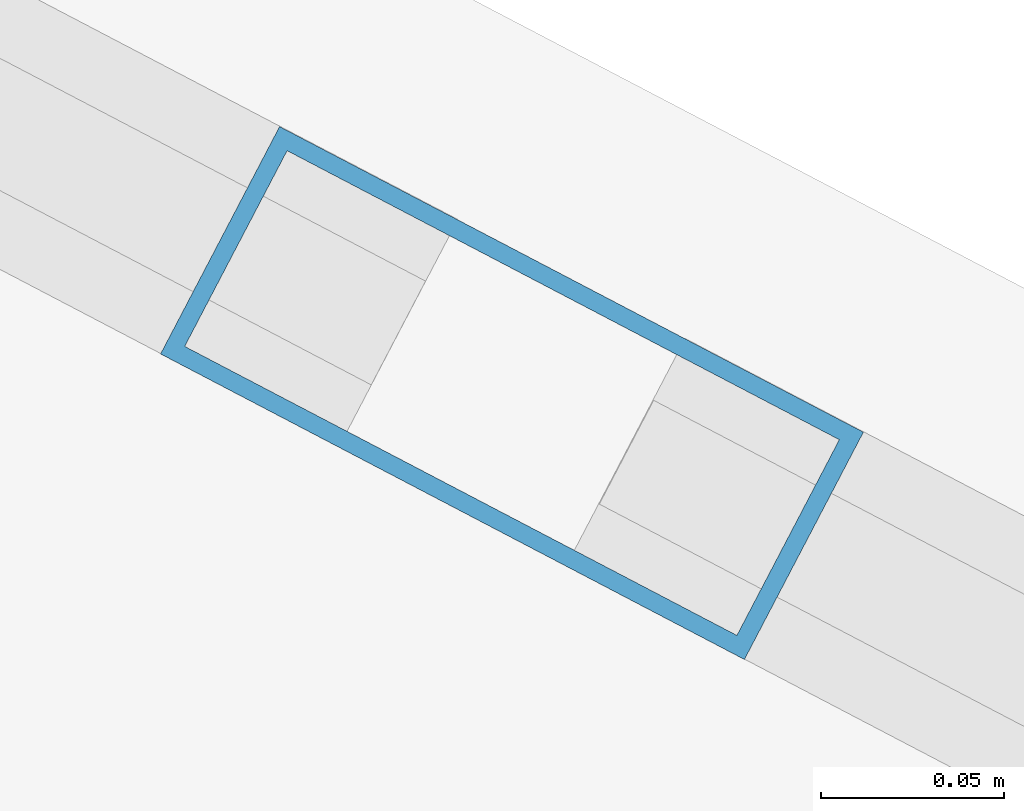
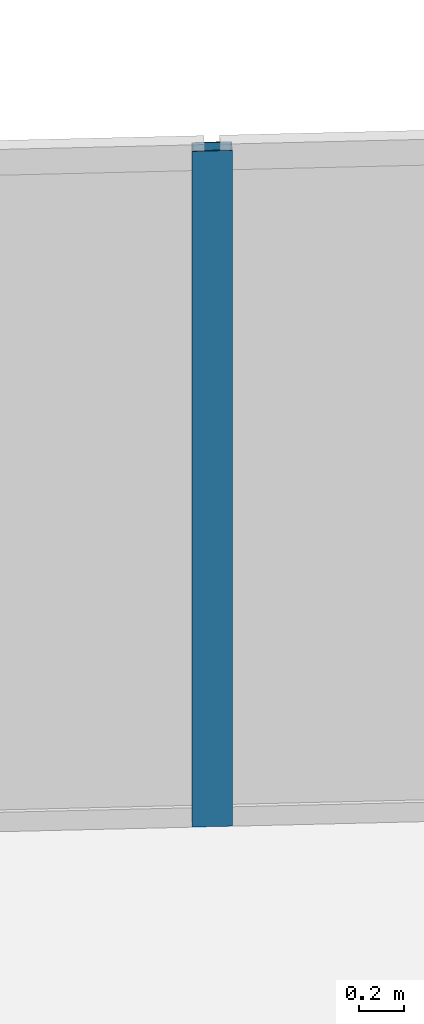
# One storey, part 21 of 27: 1 member, 1 element without a shape of its own.
"""IFC4 building model written with IfcOpenShell, lengths in metres."""

from ifc_helpers import new_model, si_unit, direction, frame, origin, origin_2d, place, context, subcontext, project, spatial, hollow_rectangle, extrude, source, transform, mapped, material, material_profile, profile_set, type_object, type_shapes, element, aggregate, save


model = new_model("IFC4")

# Units and contexts
model_context = context("Model", 3, precision=1e-05, world=origin(), true_north=direction((0.0, 1.0)))
body_context = subcontext(model_context, "Body", "Model", "MODEL_VIEW")
ifc_project = project(units=[si_unit("LENGTHUNIT", "METRE"), si_unit("AREAUNIT", "SQUARE_METRE"), si_unit("VOLUMEUNIT", "CUBIC_METRE"), si_unit("PLANEANGLEUNIT", "RADIAN"), si_unit("MASSUNIT", "GRAM", prefix="KILO")], contexts=[model_context])

# Site, building, storey
site_placement = place(None, origin())
site = spatial("IfcSite", under=ifc_project, at=site_placement, CompositionType="ELEMENT")
building_placement = place(site_placement, origin())
building = spatial("IfcBuilding", under=site, at=building_placement, Name="Krantzveldt Concourse Tower", CompositionType="ELEMENT")
storey_placement = place(building_placement, frame((0.0, 0.0, 158.050048828125)))
storey = spatial("IfcBuildingStorey", under=building, at=storey_placement, Name="L38", CompositionType="ELEMENT", Elevation=158.050048828125)

# Curtain wall, member
ifc_material = material(Name="Anodised aluminium 6063-T6", Category="aluminium")
curtain_wall_type = type_object("IfcCurtainWallType", Name="CW3", PredefinedType="USERDEFINED", material=ifc_material)
curtain_wall_placement = place(storey_placement, origin())
curtain_wall = element("IfcCurtainWall", 1, at=curtain_wall_placement, inside=storey, type_object=curtain_wall_type, Name="CW-L38-F10", ObjectType="UNITISED CURTAIN WALL", PredefinedType="USERDEFINED")
ifc_material_profile = material_profile(ifc_material, hollow_rectangle(XDim=0.070068359375, YDim=0.179931640625, WallThickness=0.0048828125, at=origin_2d()), Name="Anodised aluminium 6063-T6", Category="aluminium")
ifc_profile_set = profile_set([ifc_material_profile], Name="Anodised aluminium 6063-T6 - ALU-MULL 180x70x5")
member_type = type_object("IfcMemberType", Name="CW-MUL-180", PredefinedType="MULLION", material=ifc_profile_set)
shared_shape = source(origin(), body_context, "Body", "SweptSolid", [
    extrude(hollow_rectangle(XDim=0.070068359375, YDim=0.179931640625, WallThickness=0.0048828125, at=origin_2d()), origin(), (0.0, 0.0, 1.0), 3.669921875),
])
type_shapes(member_type, [shared_shape])
member_placement = place(storey_placement, frame((43.029541015625, 47.63720703125, 0.0), z_axis=(0.0, 0.0, 1.0), x_axis=(-0.463682819502, -0.886001265743, 0.0)))
member = element("IfcMember", 2, at=member_placement, type_object=member_type, Name="CW-Z34 mullion 4", PredefinedType="MULLION", context=body_context, shape_type="MappedRepresentation", body=[
    mapped(shared_shape, transform((0.0, 0.0, 0.0), x_axis=(1.0, 0.0, 0.0), y_axis=(0.0, 1.0, 0.0), z_axis=(0.0, 0.0, 1.0), scale=1.0)),
])
aggregate(curtain_wall, [member])

save(model, "model.ifc")
